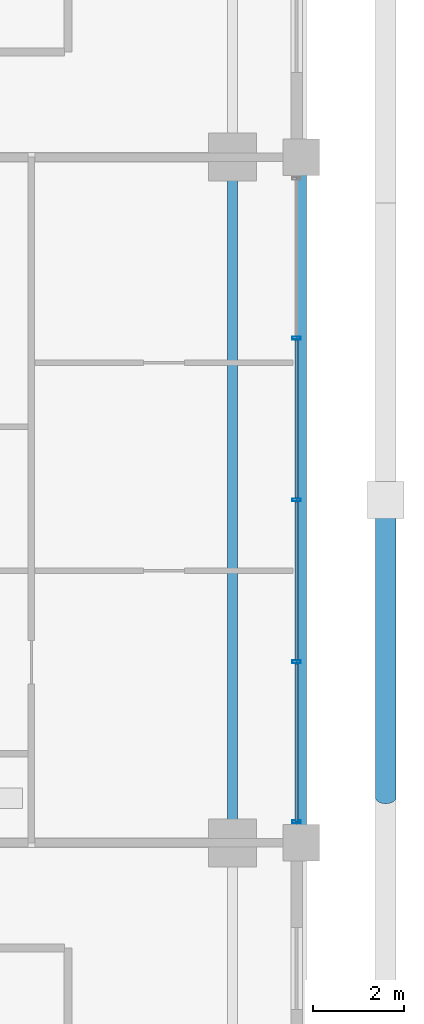
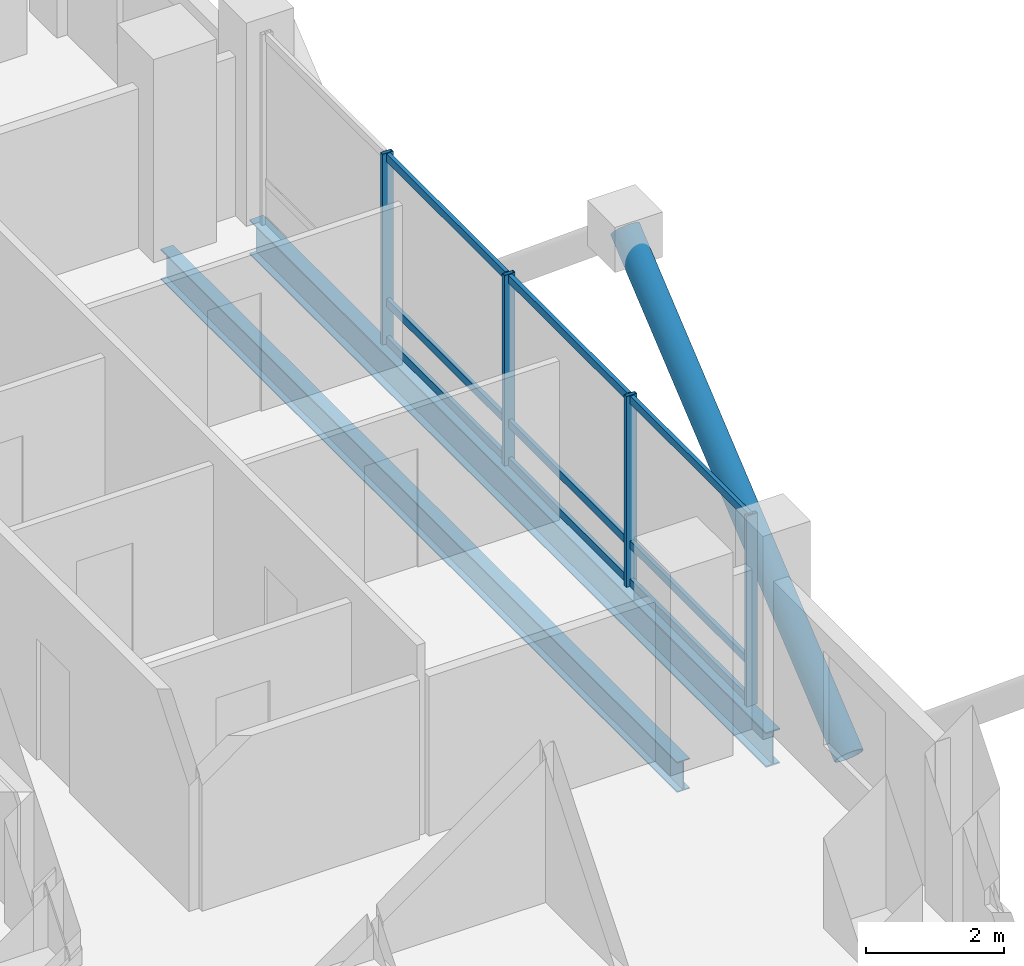
# One storey, part 10 of 24: 14 members, 2 beams, 1 element without a shape of its own.
"""IFC4 building model written with IfcOpenShell, lengths in metres."""

import ifcopenshell
import ifcopenshell.guid

model = None  # the IFC model being written
_history = None  # IfcOwnerHistory: only IFC2X3 demands one
_inside = {}  # id of a spatial element -> (the spatial element, [elements in it])
_under = {}  # id of a project, library or spatial element -> (it, [spatial elements below it])
_declared = {}  # id of a project -> (the project, [libraries it declares])
_typed = {}  # id of a type object -> (the type object, [elements of that type])
_made_of = {}  # id of a material, layer set ... -> (it, [elements and type objects made of it])


def new_model(schema):
    """Start an empty IFC model of exactly this schema.

    Asked for "IFC4X3", IfcOpenShell would pick the latest addendum, in which some entities
    have other attributes; the version numbers below select the first issue.
    IFC2X3 requires an IfcOwnerHistory on every rooted entity: one is made here for all.
    """
    global model, _history
    if schema == "IFC4X3":
        model = ifcopenshell.file(schema_version=(4, 3, 0, 0))
    else:
        model = ifcopenshell.file(schema=schema)
    _inside.clear()
    _under.clear()
    _declared.clear()
    _typed.clear()
    _made_of.clear()
    _history = None
    if model.schema == "IFC2X3":
        org = make("IfcOrganization", Name="unknown")
        user = make(
            "IfcPersonAndOrganization",
            ThePerson=make("IfcPerson", FamilyName="unknown"),
            TheOrganization=org,
        )
        app = make(
            "IfcApplication",
            ApplicationDeveloper=org,
            Version="unknown",
            ApplicationFullName="unknown",
            ApplicationIdentifier="unknown",
        )
        _history = make(
            "IfcOwnerHistory",
            OwningUser=user,
            OwningApplication=app,
            ChangeAction="ADDED",
            CreationDate=0,
        )
    return model


def make(cls, **values):
    """One entity of the class cls with the attributes given. An attribute that is None is left unset."""
    return model.create_entity(
        cls, **{name: value for name, value in values.items() if value is not None}
    )


def rooted(cls, **values):
    """An entity with a GlobalId (a new one), such as an element, a storey or a relation."""
    return make(cls, GlobalId=ifcopenshell.guid.new(), OwnerHistory=_history, **values)


def si_unit(unit_type, name, prefix=None):
    """IfcSIUnit, for example si_unit("LENGTHUNIT", "METRE", prefix="MILLI")."""
    return make("IfcSIUnit", UnitType=unit_type, Prefix=prefix, Name=name)


def assignment(units):
    """IfcUnitAssignment: the units of a project."""
    return None if units is None else make("IfcUnitAssignment", Units=units)


def point(xyz):
    """IfcCartesianPoint."""
    return None if xyz is None else make("IfcCartesianPoint", Coordinates=xyz)


def direction(xyz):
    """IfcDirection."""
    return None if xyz is None else make("IfcDirection", DirectionRatios=xyz)


def frame(location, z_axis=None, x_axis=None):
    """IfcAxis2Placement3D, a coordinate frame: its origin and axes. An axis left out is left unset."""
    return make(
        "IfcAxis2Placement3D",
        Location=point(location),
        Axis=direction(z_axis),
        RefDirection=direction(x_axis),
    )


def frame_2d(location, x_axis=None):
    """IfcAxis2Placement2D, a coordinate frame in the plane: its origin and x axis."""
    return make(
        "IfcAxis2Placement2D", Location=point(location), RefDirection=direction(x_axis)
    )


def origin():
    """The frame at (0, 0, 0) with its axes left unset."""
    return frame((0.0, 0.0, 0.0))


def origin_2d():
    """The frame at (0, 0) in the plane with its x axis left unset."""
    return frame_2d((0.0, 0.0))


def place(relative_to, where):
    """IfcLocalPlacement: puts the frame where relative to a parent placement (None: the world)."""
    return make(
        "IfcLocalPlacement", PlacementRelTo=relative_to, RelativePlacement=where
    )


def context(
    kind, dimensions, precision=None, world=None, true_north=None, identifier=None
):
    """IfcGeometricRepresentationContext, for example the 3D "Model" context."""
    return make(
        "IfcGeometricRepresentationContext",
        ContextIdentifier=identifier,
        ContextType=kind,
        CoordinateSpaceDimension=dimensions,
        Precision=precision,
        WorldCoordinateSystem=world,
        TrueNorth=true_north,
    )


def subcontext(parent, identifier, kind, view, scale=None):
    """IfcGeometricRepresentationSubContext, for example "Body" below "Model"."""
    return make(
        "IfcGeometricRepresentationSubContext",
        ContextIdentifier=identifier,
        ContextType=kind,
        ParentContext=parent,
        TargetScale=scale,
        TargetView=view,
    )


def project(units=None, contexts=None):
    """IfcProject with its units and contexts."""
    return rooted(
        "IfcProject",
        Name="project",
        RepresentationContexts=contexts,
        UnitsInContext=assignment(units),
    )


def spatial(cls, under=None, at=None, **own):
    """A site, building, storey or space (cls), placed at a placement, below another one or the project."""
    s = rooted(cls, ObjectPlacement=at, **own)
    if under is not None:
        _under.setdefault(under.id(), (under, []))[1].append(s)
    return s


def profile(cls, at=None, kind="AREA", **sizes):
    """A parametric profile (cls). Its sizes go by their IFC names, for example OverallWidth=200.0."""
    return make(cls, ProfileType=kind, Position=at, **sizes)


def hollow_rectangle(**sizes):
    """IfcRectangleHollowProfileDef."""
    return profile("IfcRectangleHollowProfileDef", **sizes)


def hollow_circle(**sizes):
    """IfcCircleHollowProfileDef."""
    return profile("IfcCircleHollowProfileDef", **sizes)


def i_section(**sizes):
    """IfcIShapeProfileDef."""
    return profile("IfcIShapeProfileDef", **sizes)


def extrude(swept, where, along, depth):
    """IfcExtrudedAreaSolid: the profile swept, set in the frame where, extruded along a direction by depth."""
    return make(
        "IfcExtrudedAreaSolid",
        SweptArea=swept,
        Position=where,
        ExtrudedDirection=direction(along),
        Depth=depth,
    )


def shape(context_of_items, identifier, shape_type, items):
    """IfcShapeRepresentation: the items that make up one representation, for example the "Body"."""
    return make(
        "IfcShapeRepresentation",
        ContextOfItems=context_of_items,
        RepresentationIdentifier=identifier,
        RepresentationType=shape_type,
        Items=items,
    )


def material(Name=None, Category=None):
    """IfcMaterial."""
    return make("IfcMaterial", Name=Name, Category=Category)


def layer(
    of_material, thickness, ventilated=None, Name=None, Category=None, Priority=None
):
    """IfcMaterialLayer: one layer of a wall or slab, of a material (None: an air gap)."""
    return make(
        "IfcMaterialLayer",
        Material=of_material,
        LayerThickness=thickness,
        IsVentilated=ventilated,
        Name=Name,
        Category=Category,
        Priority=Priority,
    )


def layer_set(layers, Name=None):
    """IfcMaterialLayerSet."""
    return make("IfcMaterialLayerSet", MaterialLayers=layers, LayerSetName=Name)


def material_profile(
    of_material, cross_section, Name=None, Category=None, Priority=None
):
    """IfcMaterialProfile: a cross section and its material."""
    return make(
        "IfcMaterialProfile",
        Name=Name,
        Material=of_material,
        Profile=cross_section,
        Priority=Priority,
        Category=Category,
    )


def profile_set(profiles, Name=None, composite=None):
    """IfcMaterialProfileSet."""
    return make(
        "IfcMaterialProfileSet",
        Name=Name,
        MaterialProfiles=profiles,
        CompositeProfile=composite,
    )


def made_of(thing, what):
    """Note that an element or type object is made of a material, layer set ...; save() writes the relation."""
    if what is not None:
        _made_of.setdefault(what.id(), (what, []))[1].append(thing)
    return thing


def type_object(cls, material=None, **own):
    """A type object (cls), such as IfcWallType, which elements share."""
    return made_of(rooted(cls, **own), material)


def element(
    cls,
    number,
    at=None,
    inside=None,
    cuts=None,
    type_object=None,
    material=None,
    context=None,
    identifier="Body",
    shape_type=None,
    held_by="IfcProductDefinitionShape",
    body=None,
    shapes=None,
    **own,
):
    """One element of the class cls, such as IfcWall. Its Tag is "e" and its number.

    at: its placement. inside: the storey or other place that contains it. cuts: it is an
    opening in that element (IfcRelVoidsElement). A single representation is given by context,
    identifier, shape_type and body (its items); several are given by shapes. held_by: the class
    of the entity that holds the representations. save() writes the other relations.
    """
    e = rooted(cls, Tag="e%d" % number, ObjectPlacement=at, **own)
    if body is not None:
        shapes = [shape(context, identifier, shape_type, body)]
    if shapes is not None:
        e.Representation = make(held_by, Representations=shapes)
    if inside is not None:
        _inside.setdefault(inside.id(), (inside, []))[1].append(e)
    if cuts is not None:
        rooted(
            "IfcRelVoidsElement", RelatingBuildingElement=cuts, RelatedOpeningElement=e
        )
    if type_object is not None:
        _typed.setdefault(type_object.id(), (type_object, []))[1].append(e)
    return made_of(e, material)


def aggregate(whole, parts):
    """IfcRelAggregates: a whole, such as a stair, and the parts it consists of."""
    return rooted("IfcRelAggregates", RelatingObject=whole, RelatedObjects=parts)


def save(model, path):
    """Write the relations noted so far, then the file.

    IfcRelAggregates (storeys below a building ...), IfcRelContainedInSpatialStructure (elements
    in a storey), IfcRelDefinesByType, IfcRelAssociatesMaterial and IfcRelDeclares: one each for
    every whole, place, type object, material and project.
    """
    for whole, parts in _under.values():
        aggregate(whole, parts)
    for where, things in _inside.values():
        rooted(
            "IfcRelContainedInSpatialStructure",
            RelatedElements=things,
            RelatingStructure=where,
        )
    for kind, things in _typed.values():
        rooted("IfcRelDefinesByType", RelatedObjects=things, RelatingType=kind)
    for what, things in _made_of.values():
        rooted("IfcRelAssociatesMaterial", RelatedObjects=things, RelatingMaterial=what)
    for by, libraries in _declared.values():
        rooted("IfcRelDeclares", RelatingContext=by, RelatedDefinitions=libraries)
    model.write(path)


model = new_model("IFC4")

# Units and contexts
model_context = context("Model", 3, precision=1e-05, world=origin(), true_north=direction((0.0, 1.0)))
body_context = subcontext(model_context, "Body", "Model", "MODEL_VIEW")
ifc_project = project(units=[si_unit("LENGTHUNIT", "METRE"), si_unit("AREAUNIT", "SQUARE_METRE"), si_unit("VOLUMEUNIT", "CUBIC_METRE"), si_unit("PLANEANGLEUNIT", "RADIAN"), si_unit("MASSUNIT", "GRAM", prefix="KILO")], contexts=[model_context])

# Site, building, storey
site_placement = place(None, origin())
site = spatial("IfcSite", under=ifc_project, at=site_placement, CompositionType="ELEMENT")
building_placement = place(site_placement, origin())
building = spatial("IfcBuilding", under=site, at=building_placement, Name="Barlavira Tower and Art Museum", CompositionType="ELEMENT")
storey_placement = place(building_placement, frame((0.0, 0.0, 172.800048828125)))
storey = spatial("IfcBuildingStorey", under=building, at=storey_placement, Name="L44", CompositionType="ELEMENT", Elevation=172.800048828125)

# Curtain wall, members
ifc_material_1 = material(Name="Low-iron coastal laminated glass", Category="glass")
ifc_layer = layer(ifc_material_1, 0.199951171875, Name="Low-iron coastal laminated glass")
ifc_layer_set = layer_set([ifc_layer], Name="Low-iron coastal laminated glass")
curtain_wall_type = type_object("IfcCurtainWallType", Name="Pale-Metal Unitised Curtain Wall Zone 3", PredefinedType="NOTDEFINED", material=ifc_layer_set)
curtain_wall_placement = place(storey_placement, origin())
curtain_wall = element("IfcCurtainWall", 1, at=curtain_wall_placement, inside=storey, type_object=curtain_wall_type, Name="L44 Curtain Wall CW3-L44-E-B3", PredefinedType="NOTDEFINED")
ifc_material_2 = material(Name="Pale anodised aluminium", Category="aluminium")
ifc_material_profile_1 = material_profile(ifc_material_2, hollow_rectangle(XDim=0.06494140625, YDim=0.179931640625, WallThickness=0.00390625, at=origin_2d()), Name="ALU-MULL 65x180x4")
ifc_profile_set_1 = profile_set([ifc_material_profile_1], Name="Pale anodised aluminium")
member_type_1 = type_object("IfcMemberType", Name="Curtain Wall Pale-Metal Mullion 65x180", PredefinedType="MULLION", material=ifc_profile_set_1)
member_1_placement = place(storey_placement, frame((18.39990234375, -7.034912109375, 0.0), z_axis=(0.0, 0.0, 1.0), x_axis=(0.0, 1.0, 0.0)))
member_1 = element("IfcMember", 2, at=member_1_placement, type_object=member_type_1, Name="CW3-L44-E-B3 Mullion 0", PredefinedType="MULLION", context=body_context, shape_type="SweptSolid", body=[
    extrude(hollow_rectangle(XDim=0.06494140625, YDim=0.179931640625, WallThickness=0.00390625, at=origin_2d()), origin(), (0.0, 0.0, 1.0), 3.3798828125),
])
member_2_placement = place(storey_placement, frame((18.39990234375, -3.5400390625, 0.0), z_axis=(0.0, 0.0, 1.0), x_axis=(0.0, 1.0, 0.0)))
member_2 = element("IfcMember", 3, at=member_2_placement, type_object=member_type_1, Name="CW3-L44-E-B3 Mullion 1", PredefinedType="MULLION", context=body_context, shape_type="SweptSolid", body=[
    extrude(hollow_rectangle(XDim=0.06494140625, YDim=0.179931640625, WallThickness=0.00390625, at=origin_2d()), origin(), (0.0, 0.0, 1.0), 3.3798828125),
])
member_3_placement = place(storey_placement, frame((18.39990234375, 0.0, 0.0), z_axis=(0.0, 0.0, 1.0), x_axis=(0.0, 1.0, 0.0)))
member_3 = element("IfcMember", 4, at=member_3_placement, type_object=member_type_1, Name="CW3-L44-E-B3 Mullion 2", PredefinedType="MULLION", context=body_context, shape_type="SweptSolid", body=[
    extrude(hollow_rectangle(XDim=0.06494140625, YDim=0.179931640625, WallThickness=0.00390625, at=origin_2d()), origin(), (0.0, 0.0, 1.0), 3.3798828125),
])
member_4_placement = place(storey_placement, frame((18.39990234375, 3.5400390625, 0.0), z_axis=(0.0, 0.0, 1.0), x_axis=(0.0, 1.0, 0.0)))
member_4 = element("IfcMember", 5, at=member_4_placement, type_object=member_type_1, Name="CW3-L44-E-B3 Mullion 3", PredefinedType="MULLION", context=body_context, shape_type="SweptSolid", body=[
    extrude(hollow_rectangle(XDim=0.06494140625, YDim=0.179931640625, WallThickness=0.00390625, at=origin_2d()), origin(), (0.0, 0.0, 1.0), 3.3798828125),
])
ifc_material_profile_2 = material_profile(ifc_material_2, hollow_rectangle(XDim=0.06494140625, YDim=0.139892578125, WallThickness=0.00390625, at=origin_2d()), Name="ALU-TRAN 65x140x4")
ifc_profile_set_2 = profile_set([ifc_material_profile_2], Name="Pale anodised aluminium")
member_type_2 = type_object("IfcMemberType", Name="Curtain Wall Pale-Metal Transom 65x140", PredefinedType="USERDEFINED", material=ifc_profile_set_2)
member_5_placement = place(storey_placement, frame((18.39990234375, -7.034912109375, 0.070068359375), z_axis=(0.0, 1.0, 0.0), x_axis=(-1.0, 0.0, 0.0)))
member_5 = element("IfcMember", 6, at=member_5_placement, type_object=member_type_2, Name="CW3-L44-E-B3 Transom 0.1", ObjectType="TRANSOM", PredefinedType="USERDEFINED", context=body_context, shape_type="SweptSolid", body=[
    extrude(hollow_rectangle(XDim=0.06494140625, YDim=0.139892578125, WallThickness=0.00390625, at=origin_2d()), origin(), (0.0, 0.0, 1.0), 3.449951171875),
])
member_6_placement = place(storey_placement, frame((18.39990234375, -7.034912109375, 0.743896484375), z_axis=(0.0, 1.0, 0.0), x_axis=(-1.0, 0.0, 0.0)))
member_6 = element("IfcMember", 7, at=member_6_placement, type_object=member_type_2, Name="CW3-L44-E-B3 Transom 0.2", ObjectType="TRANSOM", PredefinedType="USERDEFINED", context=body_context, shape_type="SweptSolid", body=[
    extrude(hollow_rectangle(XDim=0.06494140625, YDim=0.139892578125, WallThickness=0.00390625, at=origin_2d()), origin(), (0.0, 0.0, 1.0), 3.449951171875),
])
member_7_placement = place(storey_placement, frame((18.39990234375, -7.034912109375, 3.31005859375), z_axis=(0.0, 1.0, 0.0), x_axis=(-1.0, 0.0, 0.0)))
member_7 = element("IfcMember", 8, at=member_7_placement, type_object=member_type_2, Name="CW3-L44-E-B3 Transom 0.3", ObjectType="TRANSOM", PredefinedType="USERDEFINED", context=body_context, shape_type="SweptSolid", body=[
    extrude(hollow_rectangle(XDim=0.06494140625, YDim=0.139892578125, WallThickness=0.00390625, at=origin_2d()), origin(), (0.0, 0.0, 1.0), 3.449951171875),
])
member_8_placement = place(storey_placement, frame((18.39990234375, -3.4951171875, 0.070068359375), z_axis=(0.0, 1.0, 0.0), x_axis=(-1.0, 0.0, 0.0)))
member_8 = element("IfcMember", 9, at=member_8_placement, type_object=member_type_2, Name="CW3-L44-E-B3 Transom 1.1", ObjectType="TRANSOM", PredefinedType="USERDEFINED", context=body_context, shape_type="SweptSolid", body=[
    extrude(hollow_rectangle(XDim=0.06494140625, YDim=0.139892578125, WallThickness=0.00390625, at=origin_2d()), origin(), (0.0, 0.0, 1.0), 3.4501953125),
])
member_9_placement = place(storey_placement, frame((18.39990234375, -3.4951171875, 0.743896484375), z_axis=(0.0, 1.0, 0.0), x_axis=(-1.0, 0.0, 0.0)))
member_9 = element("IfcMember", 10, at=member_9_placement, type_object=member_type_2, Name="CW3-L44-E-B3 Transom 1.2", ObjectType="TRANSOM", PredefinedType="USERDEFINED", context=body_context, shape_type="SweptSolid", body=[
    extrude(hollow_rectangle(XDim=0.06494140625, YDim=0.139892578125, WallThickness=0.00390625, at=origin_2d()), origin(), (0.0, 0.0, 1.0), 3.4501953125),
])
member_10_placement = place(storey_placement, frame((18.39990234375, -3.4951171875, 3.31005859375), z_axis=(0.0, 1.0, 0.0), x_axis=(-1.0, 0.0, 0.0)))
member_10 = element("IfcMember", 11, at=member_10_placement, type_object=member_type_2, Name="CW3-L44-E-B3 Transom 1.3", ObjectType="TRANSOM", PredefinedType="USERDEFINED", context=body_context, shape_type="SweptSolid", body=[
    extrude(hollow_rectangle(XDim=0.06494140625, YDim=0.139892578125, WallThickness=0.00390625, at=origin_2d()), origin(), (0.0, 0.0, 1.0), 3.4501953125),
])
member_11_placement = place(storey_placement, frame((18.39990234375, 0.044921875, 0.070068359375), z_axis=(0.0, 1.0, 0.0), x_axis=(-1.0, 0.0, 0.0)))
member_11 = element("IfcMember", 12, at=member_11_placement, type_object=member_type_2, Name="CW3-L44-E-B3 Transom 2.1", ObjectType="TRANSOM", PredefinedType="USERDEFINED", context=body_context, shape_type="SweptSolid", body=[
    extrude(hollow_rectangle(XDim=0.06494140625, YDim=0.139892578125, WallThickness=0.00390625, at=origin_2d()), origin(), (0.0, 0.0, 1.0), 3.4501953125),
])
member_12_placement = place(storey_placement, frame((18.39990234375, 0.044921875, 0.743896484375), z_axis=(0.0, 1.0, 0.0), x_axis=(-1.0, 0.0, 0.0)))
member_12 = element("IfcMember", 13, at=member_12_placement, type_object=member_type_2, Name="CW3-L44-E-B3 Transom 2.2", ObjectType="TRANSOM", PredefinedType="USERDEFINED", context=body_context, shape_type="SweptSolid", body=[
    extrude(hollow_rectangle(XDim=0.06494140625, YDim=0.139892578125, WallThickness=0.00390625, at=origin_2d()), origin(), (0.0, 0.0, 1.0), 3.4501953125),
])
member_13_placement = place(storey_placement, frame((18.39990234375, 0.044921875, 3.31005859375), z_axis=(0.0, 1.0, 0.0), x_axis=(-1.0, 0.0, 0.0)))
member_13 = element("IfcMember", 14, at=member_13_placement, type_object=member_type_2, Name="CW3-L44-E-B3 Transom 2.3", ObjectType="TRANSOM", PredefinedType="USERDEFINED", context=body_context, shape_type="SweptSolid", body=[
    extrude(hollow_rectangle(XDim=0.06494140625, YDim=0.139892578125, WallThickness=0.00390625, at=origin_2d()), origin(), (0.0, 0.0, 1.0), 3.4501953125),
])
aggregate(curtain_wall, [member_1, member_2, member_3, member_4, member_5, member_6, member_7, member_8, member_9, member_10, member_11, member_12, member_13])

# Member
ifc_material_3 = material(Name="Steel S355", Category="steel")
ifc_material_profile_3 = material_profile(ifc_material_3, hollow_circle(Radius=0.228515625, WallThickness=0.02001953125, at=origin_2d()), Name="CHS 457.0x20.0")
ifc_profile_set_3 = profile_set([ifc_material_profile_3], Name="Steel S355")
member_type_3 = type_object("IfcMemberType", Name="Pale-Metal Exoskeleton Diagrid Tube CHS 457x20 Steel S355", PredefinedType="BRACE", material=ifc_profile_set_3)
member_14_placement = place(storey_placement, frame((20.35009765625, -6.5, -1.920166015625), z_axis=(0.0, 0.76918185268, 0.639029950399), x_axis=(-1.0, 0.0, 0.0)))
element("IfcMember", 15, at=member_14_placement, inside=storey, type_object=member_type_3, Name="L44 Exoskeleton Diagrid Tube E", PredefinedType="BRACE", context=body_context, shape_type="SweptSolid", body=[
    extrude(hollow_circle(Radius=0.228515625, WallThickness=0.02001953125, at=origin_2d()), origin(), (0.0, 0.0, 1.0), 8.450439453125),
])

# Beams
ifc_material_profile_4 = material_profile(ifc_material_3, i_section(OverallWidth=0.22998046875, OverallDepth=0.616943359375, WebThickness=0.01318359375, FlangeThickness=0.022216796875, at=origin_2d()), Name="W610x140.0")
ifc_profile_set_4 = profile_set([ifc_material_profile_4], Name="Steel S355")
beam_type_1 = type_object("IfcBeamType", Name="Upper Shaft Spandrel Edge Beam W610x140 Steel S355", PredefinedType="SPANDREL", material=ifc_profile_set_4)
beam_1_placement = place(storey_placement, frame((18.5, -7.5, -0.528564453125), z_axis=(0.0, 1.0, 0.0), x_axis=(-1.0, 0.0, 0.0)))
element("IfcBeam", 16, at=beam_1_placement, inside=storey, type_object=beam_type_1, Name="L44 Spandrel 6", PredefinedType="SPANDREL", context=body_context, shape_type="SweptSolid", body=[
    extrude(i_section(OverallWidth=0.22998046875, OverallDepth=0.616943359375, WebThickness=0.01318359375, FlangeThickness=0.022216796875, at=origin_2d()), origin(), (0.0, 0.0, 1.0), 15.0),
])
ifc_material_profile_5 = material_profile(ifc_material_3, i_section(OverallWidth=0.2109375, OverallDepth=0.5390625, WebThickness=0.01171875, FlangeThickness=0.018798828125, at=origin_2d()), Name="W530x109.0")
ifc_profile_set_5 = profile_set([ifc_material_profile_5], Name="Steel S355")
beam_type_2 = type_object("IfcBeamType", Name="Zone 3-4 Primary Floor Girder W530x109 Steel S355", PredefinedType="BEAM", material=ifc_profile_set_5)
beam_2_placement = place(storey_placement, frame((17.0, -7.5, -0.489501953125), z_axis=(0.0, 1.0, 0.0), x_axis=(-1.0, 0.0, 0.0)))
element("IfcBeam", 17, at=beam_2_placement, inside=storey, type_object=beam_type_2, Name="L44 Girder M-E2", PredefinedType="BEAM", context=body_context, shape_type="SweptSolid", body=[
    extrude(i_section(OverallWidth=0.2109375, OverallDepth=0.5390625, WebThickness=0.01171875, FlangeThickness=0.018798828125, at=origin_2d()), origin(), (0.0, 0.0, 1.0), 15.0),
])

save(model, "model.ifc")
